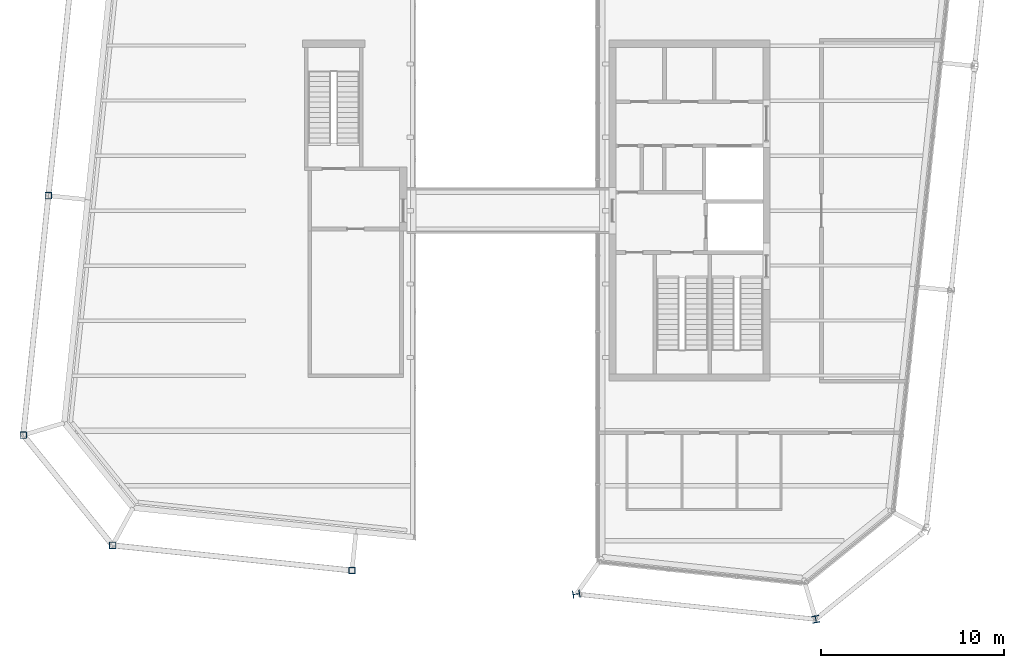
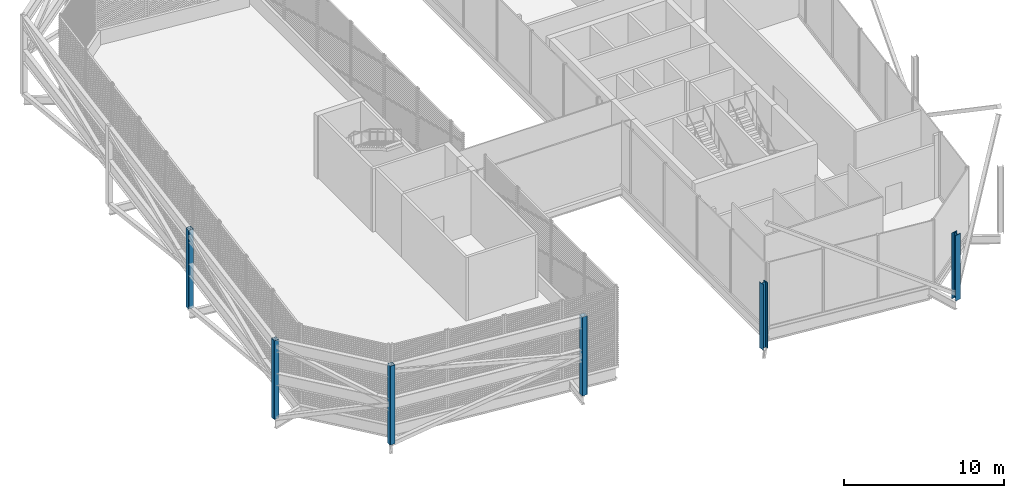
# One storey, part 1 of 15: 6 columns.
"""IFC4 building model written with IfcOpenShell, lengths in metres."""

from ifc_helpers import new_model, si_unit, direction, frame, origin, origin_2d, place, context, subcontext, project, spatial, hollow_rectangle, i_section, extrude, material, material_profile, profile_set, type_object, element, save


model = new_model("IFC4")

# Units and contexts
model_context = context("Model", 3, precision=1e-05, world=origin(), true_north=direction((0.0, 1.0)))
body_context = subcontext(model_context, "Body", "Model", "MODEL_VIEW")
ifc_project = project(units=[si_unit("LENGTHUNIT", "METRE"), si_unit("AREAUNIT", "SQUARE_METRE"), si_unit("VOLUMEUNIT", "CUBIC_METRE"), si_unit("PLANEANGLEUNIT", "RADIAN"), si_unit("MASSUNIT", "GRAM", prefix="KILO")], contexts=[model_context])

# Site, building, storey
site_placement = place(None, origin())
site = spatial("IfcSite", under=ifc_project, at=site_placement, CompositionType="ELEMENT")
building_placement = place(site_placement, origin())
building = spatial("IfcBuilding", under=site, at=building_placement, Name="Millrace Tower", CompositionType="ELEMENT")
storey_placement = place(building_placement, frame((0.0, 0.0, 352.10009765625)))
storey = spatial("IfcBuildingStorey", under=building, at=storey_placement, Name="L81", CompositionType="ELEMENT", Elevation=352.10009765625)

# Columns
ifc_material_1 = material(Name="Steel ASTM A500 Grade C", Category="steel")
ifc_material_profile_1 = material_profile(ifc_material_1, hollow_rectangle(XDim=0.355712890625, YDim=0.355712890625, WallThickness=0.015869140625, InnerFilletRadius=0.008056640625, OuterFilletRadius=0.02392578125, at=origin_2d()))
ifc_profile_set_1 = profile_set([ifc_material_profile_1], Name="Steel ASTM A500 Grade C")
column_type_1 = type_object("IfcColumnType", Name="CROWN FRAME post HSS14x14x5/8", PredefinedType="COLUMN", material=ifc_profile_set_1)
for number, where, z_axis, x_axis, name in (
    (1, (-25.057373046875, 0.82080078125, 0.0), (0.0, 0.0, 1.0), (1.0, 0.0, 0.0), "CROWN FRAME post W.1"),
    (2, (-26.429443359375, -12.23583984375, 0.0), (0.0, 0.0, 1.0), (1.0, 0.0, 0.0), "CROWN FRAME post W.2"),
    (3, (-21.559814453125, -18.249267578125, 0.0), (0.0, 0.0, 1.0), (1.0, 0.0, 0.0), "CROWN FRAME post W.3"),
    (4, (-8.50341796875, -19.62158203125, 0.0), (0.0, 0.0, 1.0), (1.0, 0.0, 0.0), "CROWN FRAME post W.4"),
):
    element("IfcColumn", number, at=place(storey_placement, frame(where, z_axis=z_axis, x_axis=x_axis)), inside=storey, type_object=column_type_1, Name=name, PredefinedType="COLUMN", context=body_context, shape_type="SweptSolid", body=[
        extrude(hollow_rectangle(XDim=0.355712890625, YDim=0.355712890625, WallThickness=0.015869140625, InnerFilletRadius=0.008056640625, OuterFilletRadius=0.02392578125, at=origin_2d()), origin(), (0.0, 0.0, 1.0), 6.0),
    ])
ifc_material_2 = material(Name="Steel ASTM A913 Grade 65", Category="steel")
ifc_material_profile_2 = material_profile(ifc_material_2, i_section(OverallWidth=0.393798828125, OverallDepth=0.3759765625, WebThickness=0.017333984375, FlangeThickness=0.027587890625, FilletRadius=0.01513671875, at=origin_2d()))
ifc_profile_set_2 = profile_set([ifc_material_profile_2], Name="Steel ASTM A913 Grade 65")
column_type_2 = type_object("IfcColumnType", Name="Exoskeleton column W14x145", PredefinedType="COLUMN", material=ifc_profile_set_2)
column_1_placement = place(storey_placement, frame((3.729248046875, -20.9072265625, 0.0), z_axis=(0.0, 0.0, 1.0), x_axis=(0.153917895091, -0.988083640979, 0.0)))
element("IfcColumn", 5, at=column_1_placement, inside=storey, type_object=column_type_2, Name="COL-E-L81-X04", PredefinedType="COLUMN", context=body_context, shape_type="SweptSolid", body=[
    extrude(i_section(OverallWidth=0.393798828125, OverallDepth=0.3759765625, WebThickness=0.017333984375, FlangeThickness=0.027587890625, FilletRadius=0.01513671875, at=origin_2d()), origin(), (0.0, 0.0, 1.0), 5.0),
])
ifc_material_3 = material(Name="Steel ASTM A913 Grade 65", Category="steel")
ifc_material_profile_3 = material_profile(ifc_material_3, i_section(OverallWidth=0.396240234375, OverallDepth=0.381103515625, WebThickness=0.018798828125, FlangeThickness=0.0302734375, FilletRadius=0.01513671875, at=origin_2d()))
ifc_profile_set_3 = profile_set([ifc_material_profile_3], Name="Steel ASTM A913 Grade 65")
column_type_3 = type_object("IfcColumnType", Name="Exoskeleton column W14x159", PredefinedType="COLUMN", material=ifc_profile_set_3)
column_2_placement = place(storey_placement, frame((16.78564453125, -22.279541015625, 0.0), z_axis=(0.0, 0.0, 1.0), x_axis=(0.983595628164, 0.18038747256, 0.0)))
element("IfcColumn", 6, at=column_2_placement, inside=storey, type_object=column_type_3, Name="COL-E-L81-X05", PredefinedType="COLUMN", context=body_context, shape_type="SweptSolid", body=[
    extrude(i_section(OverallWidth=0.396240234375, OverallDepth=0.381103515625, WebThickness=0.018798828125, FlangeThickness=0.0302734375, FilletRadius=0.01513671875, at=origin_2d()), origin(), (0.0, 0.0, 1.0), 5.0),
])

save(model, "model.ifc")
